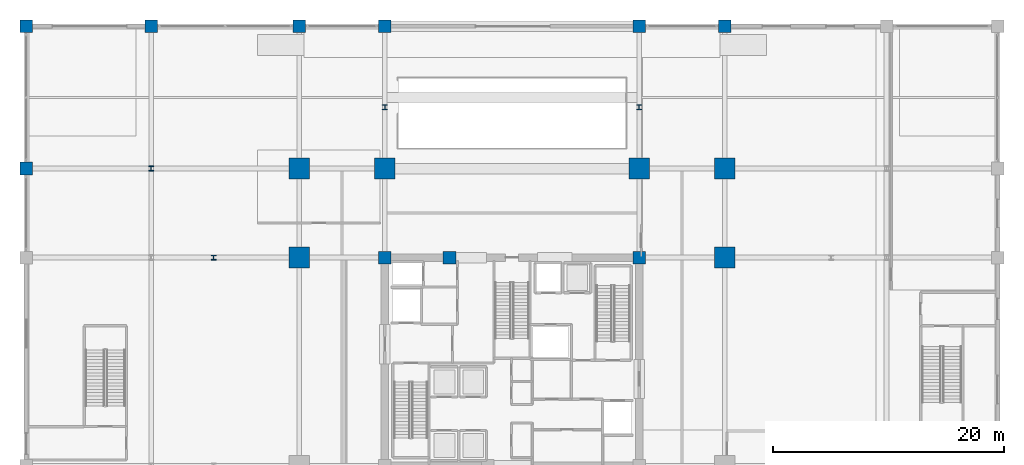
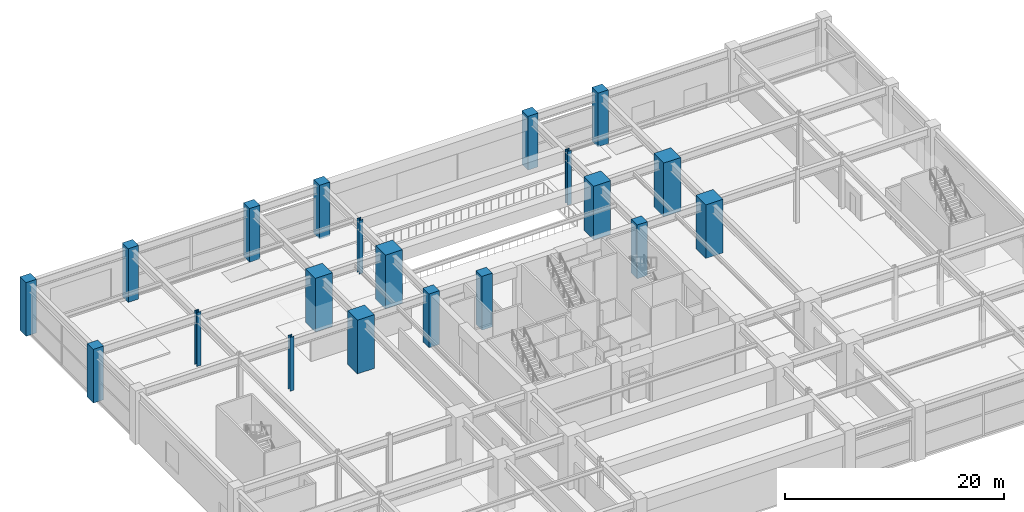
# One storey, part 2 of 41: 20 columns.
"""IFC4 building model written with IfcOpenShell, lengths in metres."""

from ifc_helpers import new_model, si_unit, direction, frame, origin, origin_2d, place, context, subcontext, project, spatial, rectangle, i_section, extrude, material, material_profile, profile_set, type_object, element, save


model = new_model("IFC4")

# Units and contexts
model_context = context("Model", 3, precision=1e-05, world=origin(), true_north=direction((0.0, 1.0)))
body_context = subcontext(model_context, "Body", "Model", "MODEL_VIEW")
ifc_project = project(units=[si_unit("LENGTHUNIT", "METRE"), si_unit("AREAUNIT", "SQUARE_METRE"), si_unit("VOLUMEUNIT", "CUBIC_METRE"), si_unit("PLANEANGLEUNIT", "RADIAN"), si_unit("MASSUNIT", "GRAM", prefix="KILO")], contexts=[model_context])

# Site, building, storey
site_placement = place(None, origin())
site = spatial("IfcSite", under=ifc_project, at=site_placement, CompositionType="ELEMENT")
building_placement = place(site_placement, origin())
building = spatial("IfcBuilding", under=site, at=building_placement, Name="Kovane Verandah Tower", CompositionType="ELEMENT")
storey_placement = place(building_placement, origin())
storey = spatial("IfcBuildingStorey", under=building, at=storey_placement, Name="L00", CompositionType="ELEMENT", Elevation=0.0)

# Columns
ifc_material_1 = material(Name="Concrete C60/75", Category="concrete")
ifc_material_profile_1 = material_profile(ifc_material_1, rectangle(XDim=1.10009765625, YDim=1.10009765625, at=origin_2d()), Name="RC1100x1100")
ifc_profile_set_1 = profile_set([ifc_material_profile_1], Name="Concrete C60/75")
column_type_1 = type_object("IfcColumnType", Name="COL-POD1100", PredefinedType="COLUMN", material=ifc_profile_set_1)
for number, where, z_axis, x_axis, name in (
    (1, (-2.0, 44.199951171875, 0.0), (0.0, 0.0, 1.0), (1.0, 0.0, 0.0), "L00 Podium Column PC-W4"),
    (2, (-2.0, 56.5, 0.0), (0.0, 0.0, 1.0), (1.0, 0.0, 0.0), "L00 Podium Column PC-W5"),
    (3, (8.800048828125, 56.5, 0.0), (0.0, 0.0, 1.0), (1.0, 0.0, 0.0), "L00 Podium Column PC-N1"),
    (4, (21.60009765625, 56.5, 0.0), (0.0, 0.0, 1.0), (1.0, 0.0, 0.0), "L00 Podium Column PC-N2"),
    (5, (29.0, 56.5, 0.0), (0.0, 0.0, 1.0), (1.0, 0.0, 0.0), "L00 Podium Column PC-N3"),
    (6, (51.0, 56.5, 0.0), (0.0, 0.0, 1.0), (1.0, 0.0, 0.0), "L00 Podium Column PC-N4"),
    (7, (58.39990234375, 56.5, 0.0), (0.0, 0.0, 1.0), (1.0, 0.0, 0.0), "L00 Podium Column PC-N5"),
):
    element("IfcColumn", number, at=place(storey_placement, frame(where, z_axis=z_axis, x_axis=x_axis)), inside=storey, type_object=column_type_1, Name=name, PredefinedType="COLUMN", context=body_context, shape_type="SweptSolid", body=[
        extrude(rectangle(XDim=1.10009765625, YDim=1.10009765625, at=origin_2d()), origin(), (0.0, 0.0, 1.0), 6.0),
    ])
ifc_material_2 = material(Name="Concrete C80/95", Category="concrete")
ifc_material_profile_2 = material_profile(ifc_material_2, rectangle(XDim=1.800048828125, YDim=1.800048828125, at=origin_2d()), Name="RC1800x1800")
ifc_profile_set_2 = profile_set([ifc_material_profile_2], Name="Concrete C80/95")
column_type_2 = type_object("IfcColumnType", Name="COL-RC1800", PredefinedType="COLUMN", material=ifc_profile_set_2)
for number, where, z_axis, x_axis, name in (
    (8, (29.0, 44.199951171875, 0.0), (0.0, 0.0, 1.0), (1.0, 0.0, 0.0), "L00 Tower Mega-Column MC-N1"),
    (9, (51.0, 44.199951171875, 0.0), (0.0, 0.0, 1.0), (1.0, 0.0, 0.0), "L00 Tower Mega-Column MC-N2"),
    (10, (21.60009765625, 36.5, 0.0), (0.0, 0.0, 1.0), (1.0, 0.0, 0.0), "L00 Tower Mega-Column MC-W2"),
    (11, (58.39990234375, 36.5, 0.0), (0.0, 0.0, 1.0), (1.0, 0.0, 0.0), "L00 Tower Mega-Column MC-E2"),
    (12, (21.60009765625, 44.199951171875, 0.0), (0.0, 0.0, 1.0), (1.0, 0.0, 0.0), "L00 Tower Mega-Column MC-NW"),
    (13, (58.39990234375, 44.199951171875, 0.0), (0.0, 0.0, 1.0), (1.0, 0.0, 0.0), "L00 Tower Mega-Column MC-NE"),
):
    element("IfcColumn", number, at=place(storey_placement, frame(where, z_axis=z_axis, x_axis=x_axis)), inside=storey, type_object=column_type_2, Name=name, PredefinedType="COLUMN", context=body_context, shape_type="SweptSolid", body=[
        extrude(rectangle(XDim=1.800048828125, YDim=1.800048828125, at=origin_2d()), origin(), (0.0, 0.0, 1.0), 6.0),
    ])
ifc_material_3 = material(Name="Steel S460", Category="steel")
ifc_material_profile_3 = material_profile(ifc_material_3, i_section(OverallWidth=0.412109375, OverallDepth=0.4365234375, WebThickness=0.035888671875, FlangeThickness=0.05810546875, FilletRadius=0.01513671875, at=origin_2d()), Name="UC356x406x467")
ifc_profile_set_3 = profile_set([ifc_material_profile_3], Name="Steel S460")
column_type_3 = type_object("IfcColumnType", Name="COL-UC467", PredefinedType="COLUMN", material=ifc_profile_set_3)
for number, where, z_axis, x_axis, name in (
    (14, (14.199951171875, 36.5, 0.0), (0.0, 0.0, 1.0), (1.0, 0.0, 0.0), "L00 Verandah Perimeter Column VC-W2"),
    (15, (29.0, 49.5, 0.0), (0.0, 0.0, 1.0), (1.0, 0.0, 0.0), "L00 Verandah Perimeter Column VC-N1"),
    (16, (51.0, 49.5, 0.0), (0.0, 0.0, 1.0), (1.0, 0.0, 0.0), "L00 Verandah Perimeter Column VC-N2"),
):
    element("IfcColumn", number, at=place(storey_placement, frame(where, z_axis=z_axis, x_axis=x_axis)), inside=storey, type_object=column_type_3, Name=name, PredefinedType="COLUMN", context=body_context, shape_type="SweptSolid", body=[
        extrude(i_section(OverallWidth=0.412109375, OverallDepth=0.4365234375, WebThickness=0.035888671875, FlangeThickness=0.05810546875, FilletRadius=0.01513671875, at=origin_2d()), origin(), (0.0, 0.0, 1.0), 6.0),
    ])
ifc_material_4 = material(Name="Steel S355", Category="steel")
ifc_material_profile_4 = material_profile(ifc_material_4, i_section(OverallWidth=0.41845703125, OverallDepth=0.45556640625, WebThickness=0.0419921875, FlangeThickness=0.0673828125, FilletRadius=0.01513671875, at=origin_2d()), Name="UC356x406x551")
ifc_profile_set_4 = profile_set([ifc_material_profile_4], Name="Steel S355")
column_type_4 = type_object("IfcColumnType", Name="COL-UC551", PredefinedType="COLUMN", material=ifc_profile_set_4)
column_placement = place(storey_placement, frame((8.800048828125, 44.199951171875, 0.0), z_axis=(0.0, 0.0, 1.0), x_axis=(1.0, 0.0, 0.0)))
element("IfcColumn", 17, at=column_placement, inside=storey, type_object=column_type_4, Name="L00 Podium Column PC-MW4", PredefinedType="COLUMN", context=body_context, shape_type="SweptSolid", body=[
    extrude(i_section(OverallWidth=0.41845703125, OverallDepth=0.45556640625, WebThickness=0.0419921875, FlangeThickness=0.0673828125, FilletRadius=0.01513671875, at=origin_2d()), origin(), (0.0, 0.0, 1.0), 6.0),
])
ifc_material_profile_5 = material_profile(ifc_material_2, rectangle(XDim=1.10009765625, YDim=1.10009765625, at=origin_2d()), Name="RC1100x1100")
ifc_profile_set_5 = profile_set([ifc_material_profile_5], Name="Concrete C80/95")
column_type_5 = type_object("IfcColumnType", Name="PIL-RC1100", PredefinedType="PILASTER", material=ifc_profile_set_5)
for number, where, z_axis, x_axis, name in (
    (18, (29.0, 36.5, 0.0), (0.0, 0.0, 1.0), (1.0, 0.0, 0.0), "L00 Core Pilaster CP-NW"),
    (19, (51.0, 36.5, 0.0), (0.0, 0.0, 1.0), (1.0, 0.0, 0.0), "L00 Core Pilaster CP-NE"),
    (20, (34.60009765625, 36.5, 0.0), (0.0, 0.0, 1.0), (1.0, 0.0, 0.0), "L00 Core Pilaster CP-N"),
):
    element("IfcColumn", number, at=place(storey_placement, frame(where, z_axis=z_axis, x_axis=x_axis)), inside=storey, type_object=column_type_5, Name=name, PredefinedType="PILASTER", context=body_context, shape_type="SweptSolid", body=[
        extrude(rectangle(XDim=1.10009765625, YDim=1.10009765625, at=origin_2d()), origin(), (0.0, 0.0, 1.0), 6.0),
    ])

save(model, "model.ifc")
